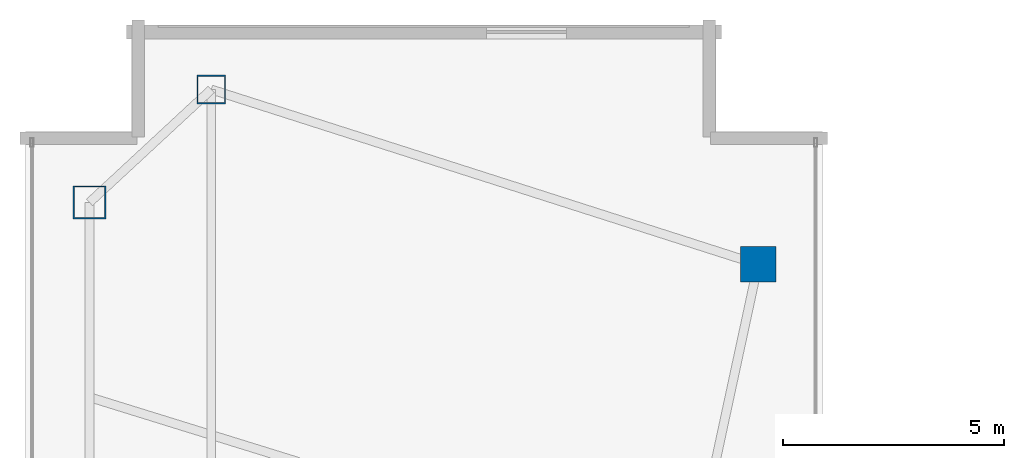
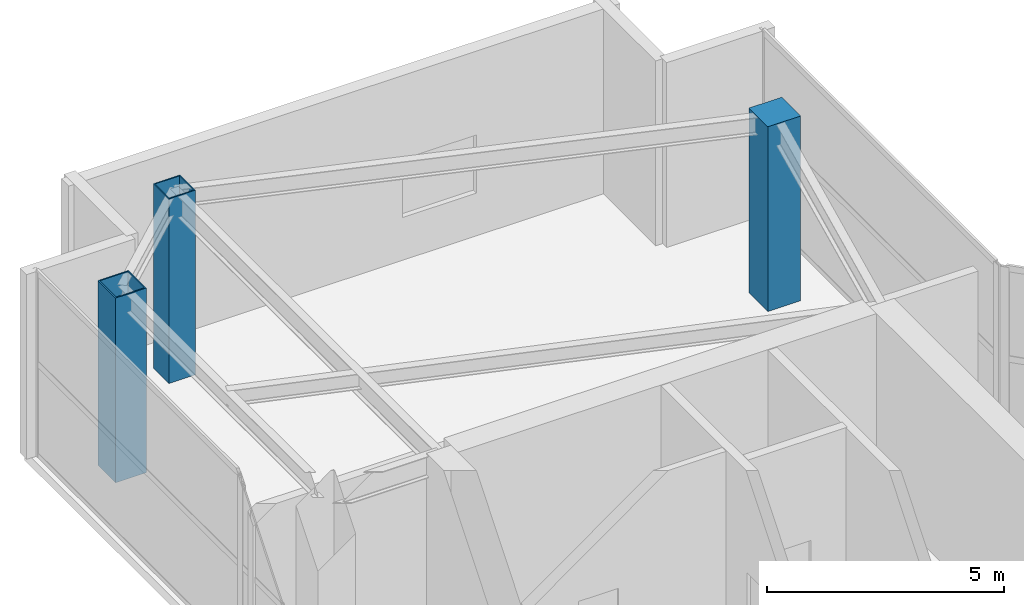
# One storey, part 2 of 22: 3 columns.
"""IFC4 building model written with IfcOpenShell, lengths in metres."""

from ifc_helpers import new_model, si_unit, direction, frame, origin, origin_2d, place, context, subcontext, project, spatial, rectangle, hollow_rectangle, extrude, material, material_profile, profile_set, type_object, element, save


model = new_model("IFC4")

# Units and contexts
model_context = context("Model", 3, precision=1e-05, world=origin(), true_north=direction((0.0, 1.0)))
body_context = subcontext(model_context, "Body", "Model", "MODEL_VIEW")
ifc_project = project(units=[si_unit("LENGTHUNIT", "METRE"), si_unit("AREAUNIT", "SQUARE_METRE"), si_unit("VOLUMEUNIT", "CUBIC_METRE"), si_unit("PLANEANGLEUNIT", "RADIAN"), si_unit("MASSUNIT", "GRAM", prefix="KILO")], contexts=[model_context])

# Site, building, storey
site_placement = place(None, origin())
site = spatial("IfcSite", under=ifc_project, at=site_placement, CompositionType="ELEMENT")
building_placement = place(site_placement, origin())
building = spatial("IfcBuilding", under=site, at=building_placement, Name="Calvorn Quay Hotel", CompositionType="ELEMENT")
storey_placement = place(building_placement, frame((0.0, 0.0, 325.5)))
storey = spatial("IfcBuildingStorey", under=building, at=storey_placement, Name="L80", CompositionType="ELEMENT", Elevation=325.5)

# Columns
ifc_material_1 = material(Name="Concrete C45", Category="concrete")
ifc_material_profile_1 = material_profile(ifc_material_1, rectangle(XDim=0.800048828125, YDim=0.800048828125, at=origin_2d()), Name="RC800x800")
ifc_profile_set_1 = profile_set([ifc_material_profile_1], Name="Concrete C45")
column_type_1 = type_object("IfcColumnType", Name="COL-RC-800", PredefinedType="COLUMN", material=ifc_profile_set_1)
column_1_placement = place(storey_placement, frame((16.550048828125, 45.60009765625, 0.0), z_axis=(0.0, 0.0, 1.0), x_axis=(1.0, 0.0, 0.0)))
element("IfcColumn", 1, at=column_1_placement, inside=storey, type_object=column_type_1, Name="Column C-IC1 (L80)", PredefinedType="COLUMN", context=body_context, shape_type="SweptSolid", body=[
    extrude(rectangle(XDim=0.800048828125, YDim=0.800048828125, at=origin_2d()), origin(), (0.0, 0.0, 1.0), 4.760009765625),
])
ifc_material_2 = material(Name="Steel Q390GJC", Category="steel")
ifc_material_profile_2 = material_profile(ifc_material_2, hollow_rectangle(XDim=0.75, YDim=0.75, WallThickness=0.031982421875, at=origin_2d()), Name="BOX750x750x32")
ifc_profile_set_2 = profile_set([ifc_material_profile_2], Name="Steel Q390GJC")
column_type_2 = type_object("IfcColumnType", Name="COL-STL-Z3", PredefinedType="COLUMN", material=ifc_profile_set_2)
column_2_placement = place(storey_placement, frame((1.449951171875, 47.0, 0.0), z_axis=(0.0, 0.0, 1.0), x_axis=(1.0, 0.0, 0.0)))
element("IfcColumn", 2, at=column_2_placement, inside=storey, type_object=column_type_2, Name="Column C-W5 (L80)", PredefinedType="COLUMN", context=body_context, shape_type="SweptSolid", body=[
    extrude(hollow_rectangle(XDim=0.75, YDim=0.75, WallThickness=0.031982421875, at=origin_2d()), origin(), (0.0, 0.0, 1.0), 4.760009765625),
])
ifc_material_3 = material(Name="Steel Q355B", Category="steel")
ifc_material_profile_3 = material_profile(ifc_material_3, hollow_rectangle(XDim=0.64990234375, YDim=0.64990234375, WallThickness=0.028076171875, at=origin_2d()), Name="BOX650x650x28")
ifc_profile_set_3 = profile_set([ifc_material_profile_3], Name="Steel Q355B")
column_type_3 = type_object("IfcColumnType", Name="COL-STL-Z4", PredefinedType="COLUMN", material=ifc_profile_set_3)
column_3_placement = place(storey_placement, frame((4.199951171875, 49.550048828125, 0.0), z_axis=(0.0, 0.0, 1.0), x_axis=(1.0, 0.0, 0.0)))
element("IfcColumn", 3, at=column_3_placement, inside=storey, type_object=column_type_3, Name="Column C-NW1 (L80)", PredefinedType="COLUMN", context=body_context, shape_type="SweptSolid", body=[
    extrude(hollow_rectangle(XDim=0.64990234375, YDim=0.64990234375, WallThickness=0.028076171875, at=origin_2d()), origin(), (0.0, 0.0, 1.0), 4.760009765625),
])

save(model, "model.ifc")
